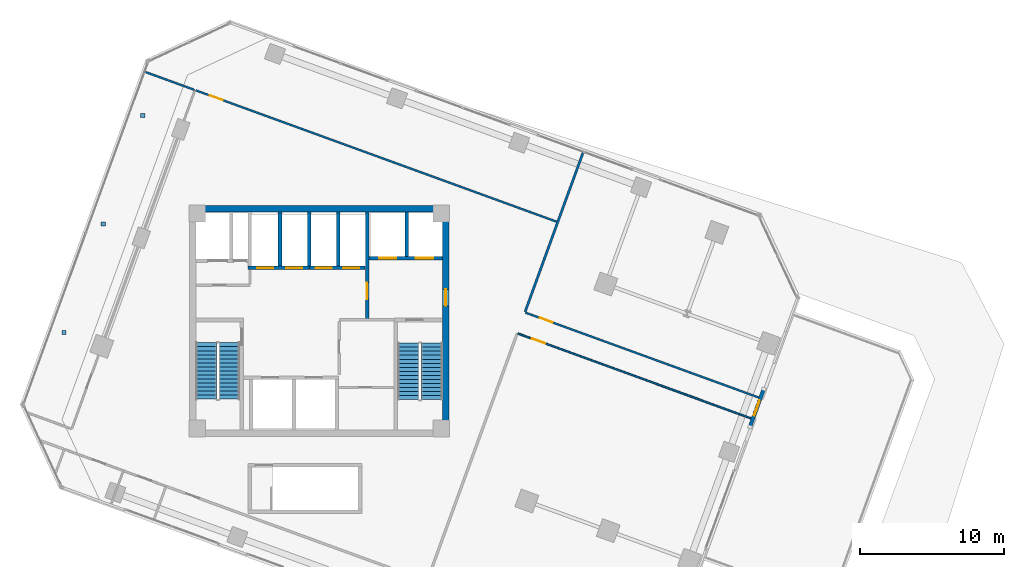
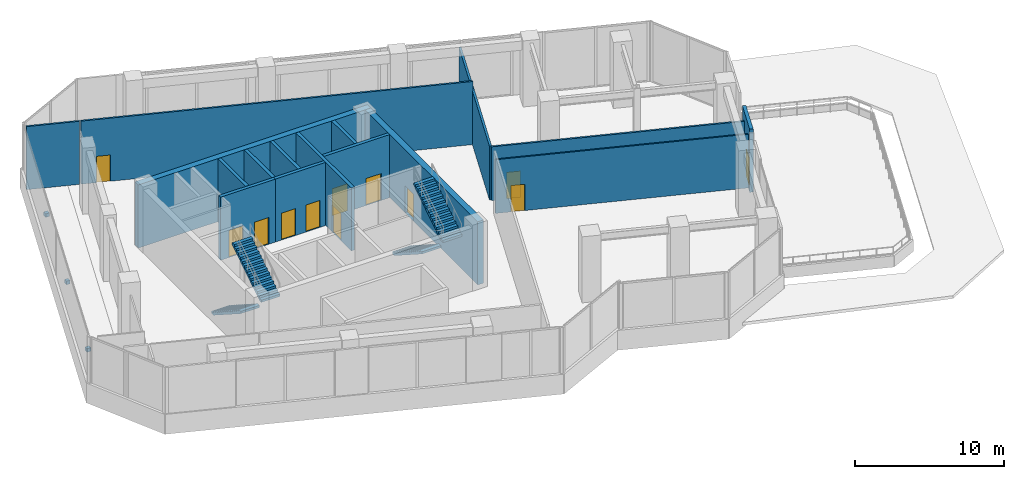
# One storey, part 17 of 21: 16 walls, 12 doors, 4 stair flights, 3 discrete accessories, 12 openings, 2 elements without a shape of their own.
"""IFC4 building model written with IfcOpenShell, lengths in metres."""

from ifc_helpers import new_model, si_unit, direction, frame, frame_2d, origin, origin_2d, place, context, subcontext, project, spatial, polyline, rectangle, outline, extrude, source, transform, mapped, material, layer, layer_set, type_object, element, fill, aggregate, save


model = new_model("IFC4")

# Units and contexts
model_context = context("Model", 3, precision=1e-05, world=origin(), true_north=direction((0.0, 1.0)))
body_context = subcontext(model_context, "Body", "Model", "MODEL_VIEW")
ifc_project = project(units=[si_unit("LENGTHUNIT", "METRE"), si_unit("AREAUNIT", "SQUARE_METRE"), si_unit("VOLUMEUNIT", "CUBIC_METRE"), si_unit("PLANEANGLEUNIT", "RADIAN"), si_unit("MASSUNIT", "GRAM", prefix="KILO")], contexts=[model_context])

# Site, building, storey
site_placement = place(None, origin())
site = spatial("IfcSite", under=ifc_project, at=site_placement, CompositionType="ELEMENT")
building_placement = place(site_placement, origin())
building = spatial("IfcBuilding", under=site, at=building_placement, Name="Torre Montelarca", CompositionType="ELEMENT")
storey_placement = place(building_placement, frame((0.0, 0.0, 127.60009765625)))
storey = spatial("IfcBuildingStorey", under=building, at=storey_placement, Name="L28", CompositionType="ELEMENT", Elevation=127.60009765625)

# Wall, opening, door
ifc_material_1 = material(Name="Concrete C40/50", Category="concrete")
ifc_layer_1 = layer(ifc_material_1, 0.25, Name="Concrete C40/50", Category="concrete")
ifc_layer_set_1 = layer_set([ifc_layer_1], Name="Concrete C40/50")
wall_type_1 = type_object("IfcWallType", Name="CW-SHAFT-250", PredefinedType="SHEAR", material=ifc_layer_set_1)
wall_1_placement = place(storey_placement, frame((21.320068359375, 32.1201171875, 0.0), z_axis=(0.0, 0.0, 1.0), x_axis=(0.0, 1.0, 0.0)))
wall_1 = element("IfcWall", 1, at=wall_1_placement, inside=storey, type_object=wall_type_1, Name="L28 Core Shear Wall SH-FFL-W", PredefinedType="SHEAR", context=body_context, shape_type="SweptSolid", body=[
    extrude(rectangle(XDim=7.419921875, YDim=0.25, at=frame_2d((3.7099609375, 0.0))), origin(), (0.0, 0.0, 1.0), 5.159912109375),
])
opening_1_placement = place(wall_1_placement, frame((1.39990234375, 0.0, 0.0)))
opening_1 = element("IfcOpeningElement", 2, at=opening_1_placement, cuts=wall_1, Name="Opening FD-LB1", PredefinedType="OPENING", context=body_context, shape_type="SweptSolid", body=[
    extrude(rectangle(XDim=1.14990234375, YDim=2.199951171875, at=frame_2d((0.574951171875, 1.10009765625))), frame((0.0, 0.135009765625, 0.0), z_axis=(0.0, -1.0, 0.0), x_axis=(1.0, 0.0, 0.0)), (0.0, 0.0, 1.0), 0.27001953125),
])
ifc_material_2 = material(Name="Acoustic timber-veneered fire door", Category="wood")
door_type_1 = type_object("IfcDoorType", Name="DR-LOBBY-115", OperationType="NOTDEFINED", PredefinedType="DOOR", material=ifc_material_2)
shared_shape_1 = source(origin(), body_context, "Body", "SweptSolid", [
    extrude(rectangle(XDim=1.14990234375, YDim=2.199951171875, at=frame_2d((0.574951171875, 1.10009765625))), frame((0.0, 0.02490234375, 0.0), z_axis=(0.0, -1.0, 0.0), x_axis=(1.0, 0.0, 0.0)), (0.0, 0.0, 1.0), 0.050048828125),
])
door_1_placement = place(opening_1_placement, origin())
door_1 = element("IfcDoor", 3, at=door_1_placement, inside=storey, type_object=door_type_1, Name="L28 Lift Lobby to Firefighting Lobby Smoke Door", OperationType="SINGLE_SWING_LEFT", OverallHeight=2.199951171875, OverallWidth=1.14990234375, PredefinedType="DOOR", context=body_context, shape_type="MappedRepresentation", body=[
    mapped(shared_shape_1, transform((0.0, 0.0, 0.0), scale=1.0)),
])
fill(opening_1, door_1)

# Wall, openings, doors
wall_2_placement = place(storey_placement, frame((21.449951171875, 36.35009765625, 0.0), z_axis=(0.0, 0.0, 1.0), x_axis=(1.0, 0.0, 0.0)))
wall_2 = element("IfcWall", 4, at=wall_2_placement, inside=storey, type_object=wall_type_1, Name="L28 Core Shear Wall SH-FF-S", PredefinedType="SHEAR", context=body_context, shape_type="SweptSolid", body=[
    extrude(rectangle(XDim=5.090087890625, YDim=0.25, at=frame_2d((2.544921875, 0.0))), origin(), (0.0, 0.0, 1.0), 5.159912109375),
])
opening_2_placement = place(wall_2_placement, frame((0.699951171875, 0.0, 0.0)))
opening_2 = element("IfcOpeningElement", 5, at=opening_2_placement, cuts=wall_2, Name="Opening LD-120", PredefinedType="OPENING", context=body_context, shape_type="SweptSolid", body=[
    extrude(rectangle(XDim=1.199951171875, YDim=2.199951171875, at=frame_2d((0.60009765625, 1.10009765625))), frame((0.0, 0.135009765625, 0.0), z_axis=(0.0, -1.0, 0.0), x_axis=(1.0, 0.0, 0.0)), (0.0, 0.0, 1.0), 0.27001953125),
])
opening_3_placement = place(wall_2_placement, frame((3.25, 0.0, 0.0)))
opening_3 = element("IfcOpeningElement", 6, at=opening_3_placement, cuts=wall_2, Name="Opening LD-120", PredefinedType="OPENING", context=body_context, shape_type="SweptSolid", body=[
    extrude(rectangle(XDim=1.199951171875, YDim=2.199951171875, at=frame_2d((0.60009765625, 1.10009765625))), frame((0.0, 0.135009765625, 0.0), z_axis=(0.0, -1.0, 0.0), x_axis=(1.0, 0.0, 0.0)), (0.0, 0.0, 1.0), 0.27001953125),
])
ifc_material_3 = material(Name="Brushed stainless steel AISI 316", Category="steel")
door_type_2 = type_object("IfcDoorType", Name="DR-LIFT-120", OperationType="SLIDING_TO_RIGHT", PredefinedType="DOOR", material=ifc_material_3)
shared_shape_2 = source(origin(), body_context, "Body", "SweptSolid", [
    extrude(rectangle(XDim=1.199951171875, YDim=2.199951171875, at=frame_2d((0.60009765625, 1.10009765625))), frame((0.0, 0.02490234375, 0.0), z_axis=(0.0, -1.0, 0.0), x_axis=(1.0, 0.0, 0.0)), (0.0, 0.0, 1.0), 0.050048828125),
])
door_2_placement = place(opening_2_placement, origin())
door_2 = element("IfcDoor", 7, at=door_2_placement, inside=storey, type_object=door_type_2, Name="L28 Lift Landing Sliding Door FF-1", OperationType="SLIDING_TO_LEFT", OverallHeight=2.199951171875, OverallWidth=1.199951171875, PredefinedType="DOOR", context=body_context, shape_type="MappedRepresentation", body=[
    mapped(shared_shape_2, transform((0.0, 0.0, 0.0), scale=1.0)),
])
fill(opening_2, door_2)
door_3_placement = place(opening_3_placement, origin())
door_3 = element("IfcDoor", 8, at=door_3_placement, inside=storey, type_object=door_type_2, Name="L28 Lift Landing Sliding Door FF-2", OperationType="SLIDING_TO_RIGHT", OverallHeight=2.199951171875, OverallWidth=1.199951171875, PredefinedType="DOOR", context=body_context, shape_type="MappedRepresentation", body=[
    mapped(shared_shape_2, transform((0.0, 0.0, 0.0), scale=1.0)),
])
fill(opening_3, door_3)

# Wall
wall_3_placement = place(storey_placement, frame((24.080078125, 36.47998046875, 0.0), z_axis=(0.0, 0.0, 1.0), x_axis=(0.0, 1.0, 0.0)))
element("IfcWall", 9, at=wall_3_placement, inside=storey, type_object=wall_type_1, Name="L28 Core Shear Wall SH-FF-M", PredefinedType="SHEAR", context=body_context, shape_type="SweptSolid", body=[
    extrude(rectangle(XDim=3.06005859375, YDim=0.25, at=frame_2d((1.530029296875, 0.0))), origin(), (0.0, 0.0, 1.0), 5.159912109375),
])

# Wall, openings, doors
wall_4_placement = place(storey_placement, frame((13.06005859375, 35.679931640625, 0.0), z_axis=(0.0, 0.0, 1.0), x_axis=(1.0, 0.0, 0.0)))
wall_4 = element("IfcWall", 10, at=wall_4_placement, inside=storey, type_object=wall_type_1, Name="L28 Core Shear Wall SH-PLM-S", PredefinedType="SHEAR", context=body_context, shape_type="SweptSolid", body=[
    extrude(rectangle(XDim=4.25, YDim=0.25, at=frame_2d((2.125, 0.0))), origin(), (0.0, 0.0, 1.0), 5.159912109375),
])
opening_4_placement = place(wall_4_placement, frame((0.64990234375, 0.0, 0.0)))
opening_4 = element("IfcOpeningElement", 11, at=opening_4_placement, cuts=wall_4, Name="Opening LD-110", PredefinedType="OPENING", context=body_context, shape_type="SweptSolid", body=[
    extrude(rectangle(XDim=1.10009765625, YDim=2.199951171875, at=frame_2d((0.550048828125, 1.10009765625))), frame((0.0, 0.135009765625, 0.0), z_axis=(0.0, -1.0, 0.0), x_axis=(1.0, 0.0, 0.0)), (0.0, 0.0, 1.0), 0.27001953125),
])
opening_5_placement = place(wall_4_placement, frame((2.64990234375, 0.0, 0.0)))
opening_5 = element("IfcOpeningElement", 12, at=opening_5_placement, cuts=wall_4, Name="Opening LD-110", PredefinedType="OPENING", context=body_context, shape_type="SweptSolid", body=[
    extrude(rectangle(XDim=1.10009765625, YDim=2.199951171875, at=frame_2d((0.550048828125, 1.10009765625))), frame((0.0, 0.135009765625, 0.0), z_axis=(0.0, -1.0, 0.0), x_axis=(1.0, 0.0, 0.0)), (0.0, 0.0, 1.0), 0.27001953125),
])
door_type_3 = type_object("IfcDoorType", Name="DR-LIFT-110", OperationType="SLIDING_TO_LEFT", PredefinedType="DOOR", material=ifc_material_3)
shared_shape_3 = source(origin(), body_context, "Body", "SweptSolid", [
    extrude(rectangle(XDim=1.10009765625, YDim=2.199951171875, at=frame_2d((0.550048828125, 1.10009765625))), frame((0.0, 0.02490234375, 0.0), z_axis=(0.0, -1.0, 0.0), x_axis=(1.0, 0.0, 0.0)), (0.0, 0.0, 1.0), 0.050048828125),
])
door_4_placement = place(opening_4_placement, origin())
door_4 = element("IfcDoor", 13, at=door_4_placement, inside=storey, type_object=door_type_3, Name="L28 Lift Landing Sliding Door PL-M1", OperationType="SLIDING_TO_LEFT", OverallHeight=2.199951171875, OverallWidth=1.10009765625, PredefinedType="DOOR", context=body_context, shape_type="MappedRepresentation", body=[
    mapped(shared_shape_3, transform((0.0, 0.0, 0.0), scale=1.0)),
])
fill(opening_4, door_4)
door_5_placement = place(opening_5_placement, origin())
door_5 = element("IfcDoor", 14, at=door_5_placement, inside=storey, type_object=door_type_3, Name="L28 Lift Landing Sliding Door PL-M2", OperationType="SLIDING_TO_RIGHT", OverallHeight=2.199951171875, OverallWidth=1.10009765625, PredefinedType="DOOR", context=body_context, shape_type="MappedRepresentation", body=[
    mapped(shared_shape_3, transform((0.0, 0.0, 0.0), scale=1.0)),
])
fill(opening_5, door_5)

# Wall
wall_5_placement = place(storey_placement, frame((15.280029296875, 35.81005859375, 0.0), z_axis=(0.0, 0.0, 1.0), x_axis=(0.0, 1.0, 0.0)))
element("IfcWall", 15, at=wall_5_placement, inside=storey, type_object=wall_type_1, Name="L28 Core Shear Wall SH-PLM-M", PredefinedType="SHEAR", context=body_context, shape_type="SweptSolid", body=[
    extrude(rectangle(XDim=3.72998046875, YDim=0.25, at=frame_2d((1.864990234375, 0.0))), origin(), (0.0, 0.0, 1.0), 5.159912109375),
])

# Wall, openings, doors
wall_6_placement = place(storey_placement, frame((17.320068359375, 35.679931640625, 0.0), z_axis=(0.0, 0.0, 1.0), x_axis=(1.0, 0.0, 0.0)))
wall_6 = element("IfcWall", 16, at=wall_6_placement, inside=storey, type_object=wall_type_1, Name="L28 Core Shear Wall SH-PLH-S", PredefinedType="SHEAR", context=body_context, shape_type="SweptSolid", body=[
    extrude(rectangle(XDim=3.869873046875, YDim=0.25, at=frame_2d((1.93505859375, 0.0))), origin(), (0.0, 0.0, 1.0), 5.159912109375),
])
opening_6_placement = place(wall_6_placement, frame((0.449951171875, 0.0, 0.0)))
opening_6 = element("IfcOpeningElement", 17, at=opening_6_placement, cuts=wall_6, Name="Opening LD-110", PredefinedType="OPENING", context=body_context, shape_type="SweptSolid", body=[
    extrude(rectangle(XDim=1.10009765625, YDim=2.199951171875, at=frame_2d((0.550048828125, 1.10009765625))), frame((0.0, 0.135009765625, 0.0), z_axis=(0.0, -1.0, 0.0), x_axis=(1.0, 0.0, 0.0)), (0.0, 0.0, 1.0), 0.27001953125),
])
opening_7_placement = place(wall_6_placement, frame((2.35009765625, 0.0, 0.0)))
opening_7 = element("IfcOpeningElement", 18, at=opening_7_placement, cuts=wall_6, Name="Opening LD-110", PredefinedType="OPENING", context=body_context, shape_type="SweptSolid", body=[
    extrude(rectangle(XDim=1.10009765625, YDim=2.199951171875, at=frame_2d((0.550048828125, 1.10009765625))), frame((0.0, 0.135009765625, 0.0), z_axis=(0.0, -1.0, 0.0), x_axis=(1.0, 0.0, 0.0)), (0.0, 0.0, 1.0), 0.27001953125),
])
door_6_placement = place(opening_6_placement, origin())
door_6 = element("IfcDoor", 19, at=door_6_placement, inside=storey, type_object=door_type_3, Name="L28 Lift Landing Sliding Door PL-H1", OperationType="SLIDING_TO_LEFT", OverallHeight=2.199951171875, OverallWidth=1.10009765625, PredefinedType="DOOR", context=body_context, shape_type="MappedRepresentation", body=[
    mapped(shared_shape_3, transform((0.0, 0.0, 0.0), scale=1.0)),
])
fill(opening_6, door_6)
door_7_placement = place(opening_7_placement, origin())
door_7 = element("IfcDoor", 20, at=door_7_placement, inside=storey, type_object=door_type_3, Name="L28 Lift Landing Sliding Door PL-H2", OperationType="SLIDING_TO_RIGHT", OverallHeight=2.199951171875, OverallWidth=1.10009765625, PredefinedType="DOOR", context=body_context, shape_type="MappedRepresentation", body=[
    mapped(shared_shape_3, transform((0.0, 0.0, 0.0), scale=1.0)),
])
fill(opening_7, door_7)

# Walls
for number, where, z_axis, x_axis, name in (
    (21, (17.320068359375, 35.81005859375, 0.0), (0.0, 0.0, 1.0), (0.0, 1.0, 0.0), "L28 Core Shear Wall SH-PLH-W"),
    (22, (19.320068359375, 35.81005859375, 0.0), (0.0, 0.0, 1.0), (0.0, 1.0, 0.0), "L28 Core Shear Wall SH-PLH-M"),
):
    element("IfcWall", number, at=place(storey_placement, frame(where, z_axis=z_axis, x_axis=x_axis)), inside=storey, type_object=wall_type_1, Name=name, PredefinedType="SHEAR", context=body_context, shape_type="SweptSolid", body=[
        extrude(rectangle(XDim=3.72998046875, YDim=0.25, at=frame_2d((1.864990234375, 0.0))), origin(), (0.0, 0.0, 1.0), 5.159912109375),
    ])

# Wall, opening, door
ifc_material_4 = material(Name="Concrete C55/67", Category="concrete")
ifc_layer_2 = layer(ifc_material_4, 0.449951171875, Name="Concrete C55/67", Category="concrete")
ifc_layer_set_2 = layer_set([ifc_layer_2], Name="Concrete C55/67")
wall_type_2 = type_object("IfcWallType", Name="CW-SHEAR-450", PredefinedType="SHEAR", material=ifc_layer_set_2)
wall_7_placement = place(storey_placement, frame((26.77490234375, 24.449951171875, 0.0), z_axis=(0.0, 0.0, 1.0), x_axis=(0.0, 1.0, 0.0)))
wall_7 = element("IfcWall", 23, at=wall_7_placement, inside=storey, type_object=wall_type_2, Name="L28 Core Shear Wall CW-E", PredefinedType="SHEAR", context=body_context, shape_type="SweptSolid", body=[
    extrude(rectangle(XDim=15.10009765625, YDim=0.449951171875, at=frame_2d((7.550048828125, 0.0))), origin(), (0.0, 0.0, 1.0), 5.159912109375),
])
opening_8_placement = place(wall_7_placement, frame((8.60009765625, 0.0, 0.0)))
opening_8 = element("IfcOpeningElement", 24, at=opening_8_placement, cuts=wall_7, Name="Opening FD-LB1", PredefinedType="OPENING", context=body_context, shape_type="SweptSolid", body=[
    extrude(rectangle(XDim=1.14990234375, YDim=2.199951171875, at=frame_2d((0.574951171875, 1.10009765625))), frame((0.0, 0.23486328125, 0.0), z_axis=(0.0, -1.0, 0.0), x_axis=(1.0, 0.0, 0.0)), (0.0, 0.0, 1.0), 0.469970703125),
])
door_8_placement = place(opening_8_placement, origin())
door_8 = element("IfcDoor", 25, at=door_8_placement, inside=storey, type_object=door_type_1, Name="L28 Firefighting Lift Lobby Corridor Fire Door", OperationType="SINGLE_SWING_RIGHT", OverallHeight=2.199951171875, OverallWidth=1.14990234375, PredefinedType="DOOR", context=body_context, shape_type="MappedRepresentation", body=[
    mapped(shared_shape_1, transform((0.0, 0.0, 0.0), scale=1.0)),
])
fill(opening_8, door_8)

# Wall
wall_8_placement = place(storey_placement, frame((9.0, 39.77490234375, 0.0), z_axis=(0.0, 0.0, 1.0), x_axis=(1.0, 0.0, 0.0)))
element("IfcWall", 26, at=wall_8_placement, inside=storey, type_object=wall_type_2, Name="L28 Core Shear Wall CW-N1", PredefinedType="SHEAR", context=body_context, shape_type="SweptSolid", body=[
    extrude(rectangle(XDim=18.0, YDim=0.449951171875, at=frame_2d((9.0, 0.0))), origin(), (0.0, 0.0, 1.0), 5.159912109375),
])

# Wall, opening, door
ifc_material_5 = material(Name="Precast concrete C45/55", Category="concrete")
ifc_layer_3 = layer(ifc_material_5, 0.25, Name="Precast concrete C45/55", Category="concrete")
ifc_layer_set_3 = layer_set([ifc_layer_3], Name="Precast concrete C45/55")
wall_type_3 = type_object("IfcWallType", Name="EW-CONC-250", PredefinedType="SOLIDWALL", material=ifc_layer_set_3)
wall_9_placement = place(storey_placement, frame((47.84912109375, 24.661376953125, 0.0), z_axis=(0.0, 0.0, 1.0), x_axis=(0.341981089711, 0.93970683422, 0.0)))
wall_9 = element("IfcWall", 27, at=wall_9_placement, inside=storey, type_object=wall_type_3, Name="L28 Terrace Portal Wall Pier E06", PredefinedType="SOLIDWALL", context=body_context, shape_type="SweptSolid", body=[
    extrude(rectangle(XDim=2.7998046875, YDim=0.25, at=frame_2d((1.39990234375, 0.0))), origin(), (0.0, 0.0, 1.0), 5.159912109375),
])
opening_9_placement = place(wall_9_placement, frame((0.85009765625, 0.0, 0.0)))
opening_9 = element("IfcOpeningElement", 28, at=opening_9_placement, cuts=wall_9, Name="Opening ED-03", PredefinedType="OPENING", context=body_context, shape_type="SweptSolid", body=[
    extrude(rectangle(XDim=1.10009765625, YDim=2.199951171875, at=frame_2d((0.550048828125, 1.10009765625))), frame((0.0, 0.135009765625, 0.0), z_axis=(0.0, -1.0, 0.0), x_axis=(1.0, 0.0, 0.0)), (0.0, 0.0, 1.0), 0.27001953125),
])
ifc_material_6 = material(Name="Powder-coated galvanized steel and safety glass", Category="steel")
door_type_4 = type_object("IfcDoorType", Name="DR-EXT-TER", OperationType="NOTDEFINED", PredefinedType="DOOR", material=ifc_material_6)
shared_shape_4 = source(origin(), body_context, "Body", "SweptSolid", [
    extrude(rectangle(XDim=1.10009765625, YDim=2.199951171875, at=frame_2d((0.550048828125, 1.10009765625))), frame((0.0, 0.02490234375, 0.0), z_axis=(0.0, -1.0, 0.0), x_axis=(1.0, 0.0, 0.0)), (0.0, 0.0, 1.0), 0.050048828125),
])
door_9_placement = place(opening_9_placement, origin())
door_9 = element("IfcDoor", 29, at=door_9_placement, inside=storey, type_object=door_type_4, Name="L28 Sky Terrace Access Door", OperationType="SINGLE_SWING_LEFT", OverallHeight=2.199951171875, OverallWidth=1.10009765625, PredefinedType="DOOR", context=body_context, shape_type="MappedRepresentation", body=[
    mapped(shared_shape_4, transform((0.0, 0.0, 0.0), scale=1.0)),
])
fill(opening_9, door_9)

# Wall
ifc_material_7 = material(Name="Gypsum plasterboard on steel stud", Category="steel")
ifc_layer_4 = layer(ifc_material_7, 0.159912109375, Name="Gypsum plasterboard on steel stud", Category="steel")
ifc_layer_set_4 = layer_set([ifc_layer_4], Name="Gypsum plasterboard on steel stud")
wall_type_4 = type_object("IfcWallType", Name="PW-FIRE-160", PredefinedType="PARTITIONING", material=ifc_layer_set_4)
wall_10_placement = place(storey_placement, frame((32.266845703125, 32.635986328125, 0.0), z_axis=(0.0, 0.0, 1.0), x_axis=(0.34200686721, 0.939697452791, 0.0)))
element("IfcWall", 30, at=wall_10_placement, inside=storey, type_object=wall_type_4, Name="L28 Interior Partition W-L28-ECN", PredefinedType="PARTITIONING", context=body_context, shape_type="SweptSolid", body=[
    extrude(rectangle(XDim=11.739990234375, YDim=0.159912109375, at=frame_2d((5.8701171875, 0.0))), origin(), (0.0, 0.0, 1.0), 4.39501953125),
])

# Wall, opening, door
ifc_layer_5 = layer(ifc_material_7, 0.114990234375, Name="Gypsum plasterboard on steel stud", Category="steel")
ifc_layer_set_5 = layer_set([ifc_layer_5], Name="Gypsum plasterboard on steel stud")
wall_type_5 = type_object("IfcWallType", Name="PW-PART-115", PredefinedType="PARTITIONING", material=ifc_layer_set_5)
wall_11_placement = place(storey_placement, frame((31.763916015625, 31.137451171875, 0.0), z_axis=(0.0, 0.0, 1.0), x_axis=(0.939692730905, -0.342019840775, 0.0)))
wall_11 = element("IfcWall", 31, at=wall_11_placement, inside=storey, type_object=wall_type_5, Name="L28 Interior Partition W-L28-SE-N", PredefinedType="PARTITIONING", context=body_context, shape_type="SweptSolid", body=[
    extrude(rectangle(XDim=17.2802734375, YDim=0.114990234375, at=frame_2d((8.64013671875, 0.0))), origin(), (0.0, 0.0, 1.0), 4.39501953125),
])
opening_10_placement = place(wall_11_placement, frame((1.050048828125, 0.0, 0.0)))
opening_10 = element("IfcOpeningElement", 32, at=opening_10_placement, cuts=wall_11, Name="Opening ID-095", PredefinedType="OPENING", context=body_context, shape_type="SweptSolid", body=[
    extrude(rectangle(XDim=0.949951171875, YDim=2.14990234375, at=frame_2d((0.47509765625, 1.074951171875))), frame((0.0, 0.0673828125, 0.0), z_axis=(0.0, -1.0, 0.0), x_axis=(1.0, 0.0, 0.0)), (0.0, 0.0, 1.0), 0.135009765625),
])
ifc_material_8 = material(Name="Hardwood acoustic timber veneer", Category="wood")
door_type_5 = type_object("IfcDoorType", Name="DR-INT-095", OperationType="NOTDEFINED", PredefinedType="DOOR", material=ifc_material_8)
shared_shape_5 = source(origin(), body_context, "Body", "SweptSolid", [
    extrude(rectangle(XDim=0.949951171875, YDim=2.14990234375, at=frame_2d((0.47509765625, 1.074951171875))), frame((0.0, 0.02490234375, 0.0), z_axis=(0.0, -1.0, 0.0), x_axis=(1.0, 0.0, 0.0)), (0.0, 0.0, 1.0), 0.050048828125),
])
door_10_placement = place(opening_10_placement, origin())
door_10 = element("IfcDoor", 33, at=door_10_placement, inside=storey, type_object=door_type_5, Name="L28 Interior Door 10", OperationType="SINGLE_SWING_LEFT", OverallHeight=2.14990234375, OverallWidth=0.949951171875, PredefinedType="DOOR", context=body_context, shape_type="MappedRepresentation", body=[
    mapped(shared_shape_5, transform((0.0, 0.0, 0.0), scale=1.0)),
])
fill(opening_10, door_10)

ifc_layer_6 = layer(ifc_material_7, 0.135009765625, Name="Gypsum plasterboard on steel stud", Category="steel")
ifc_layer_set_6 = layer_set([ifc_layer_6], Name="Gypsum plasterboard on steel stud")
wall_type_6 = type_object("IfcWallType", Name="PW-PART-135", PredefinedType="PARTITIONING", material=ifc_layer_set_6)
wall_12_placement = place(storey_placement, frame((9.431884765625, 47.991943359375, 0.0), z_axis=(0.0, 0.0, 1.0), x_axis=(0.939693422468, -0.342017940715, 0.0)))
wall_12 = element("IfcWall", 34, at=wall_12_placement, inside=storey, type_object=wall_type_6, Name="L28 Interior Partition W-L28-NBOT", PredefinedType="PARTITIONING", context=body_context, shape_type="SweptSolid", body=[
    extrude(rectangle(XDim=26.669921875, YDim=0.135009765625, at=frame_2d((13.3349609375, 0.0))), origin(), (0.0, 0.0, 1.0), 5.159912109375),
])
opening_11_placement = place(wall_12_placement, frame((1.050048828125, 0.0, 0.0)))
opening_11 = element("IfcOpeningElement", 35, at=opening_11_placement, cuts=wall_12, Name="Opening ID-095", PredefinedType="OPENING", context=body_context, shape_type="SweptSolid", body=[
    extrude(rectangle(XDim=0.949951171875, YDim=2.14990234375, at=frame_2d((0.47509765625, 1.074951171875))), frame((0.0, 0.07763671875, 0.0), z_axis=(0.0, -1.0, 0.0), x_axis=(1.0, 0.0, 0.0)), (0.0, 0.0, 1.0), 0.155029296875),
])
door_11_placement = place(opening_11_placement, origin())
door_11 = element("IfcDoor", 36, at=door_11_placement, inside=storey, type_object=door_type_5, Name="L28 Interior Door 07", OperationType="SINGLE_SWING_LEFT", OverallHeight=2.14990234375, OverallWidth=0.949951171875, PredefinedType="DOOR", context=body_context, shape_type="MappedRepresentation", body=[
    mapped(shared_shape_5, transform((0.0, 0.0, 0.0), scale=1.0)),
])
fill(opening_11, door_11)

# Wall
wall_13_placement = place(storey_placement, frame((5.945556640625, 49.260986328125, 0.0), z_axis=(0.0, 0.0, 1.0), x_axis=(0.939679480515, -0.342056243766, 0.0)))
element("IfcWall", 37, at=wall_13_placement, inside=storey, type_object=wall_type_6, Name="L28 Interior Partition W-L28-WWGN", PredefinedType="PARTITIONING", context=body_context, shape_type="SweptSolid", body=[
    extrude(rectangle(XDim=3.630126953125, YDim=0.135009765625, at=frame_2d((1.81494140625, 0.0))), origin(), (0.0, 0.0, 1.0), 5.159912109375),
])

# Wall, opening, door
wall_14_placement = place(storey_placement, frame((32.290771484375, 32.584716796875, 0.0), z_axis=(0.0, 0.0, 1.0), x_axis=(0.939691078169, -0.342024381601, 0.0)))
wall_14 = element("IfcWall", 38, at=wall_14_placement, inside=storey, type_object=wall_type_6, Name="L28 Interior Partition W-L28-NE-S", PredefinedType="PARTITIONING", context=body_context, shape_type="SweptSolid", body=[
    extrude(rectangle(XDim=17.280029296875, YDim=0.135009765625, at=frame_2d((8.64013671875, 0.0))), origin(), (0.0, 0.0, 1.0), 4.39501953125),
])
opening_12_placement = place(wall_14_placement, frame((1.050048828125, 0.0, 0.0)))
opening_12 = element("IfcOpeningElement", 39, at=opening_12_placement, cuts=wall_14, Name="Opening ID-095", PredefinedType="OPENING", context=body_context, shape_type="SweptSolid", body=[
    extrude(rectangle(XDim=0.949951171875, YDim=2.14990234375, at=frame_2d((0.47509765625, 1.074951171875))), frame((0.0, 0.07763671875, 0.0), z_axis=(0.0, -1.0, 0.0), x_axis=(1.0, 0.0, 0.0)), (0.0, 0.0, 1.0), 0.155029296875),
])
door_12_placement = place(opening_12_placement, origin())
door_12 = element("IfcDoor", 40, at=door_12_placement, inside=storey, type_object=door_type_5, Name="L28 Interior Door 09", OperationType="SINGLE_SWING_LEFT", OverallHeight=2.14990234375, OverallWidth=0.949951171875, PredefinedType="DOOR", context=body_context, shape_type="MappedRepresentation", body=[
    mapped(shared_shape_5, transform((0.0, 0.0, 0.0), scale=1.0)),
])
fill(opening_12, door_12)

# Stair, stair flights
stair_type_1 = type_object("IfcStairType", Name="ST-CORE-ST1", PredefinedType="HALF_TURN_STAIR", material=ifc_material_1)
stair_1_placement = place(storey_placement, origin())
stair_1 = element("IfcStair", 41, at=stair_1_placement, inside=storey, type_object=stair_type_1, Name="L28 Protected Exit Stair ST1", PredefinedType="HALF_TURN_STAIR")
stair_flight_type_1 = type_object("IfcStairFlightType", Name="SFL-CORE-ST1", PredefinedType="STRAIGHT", material=ifc_material_1)
stair_flight_1_placement = place(storey_placement, frame((10.175048828125, 30.5, 0.0), z_axis=(0.0, 0.0, 1.0), x_axis=(0.0, -1.0, 0.0)))
stair_flight_1 = element("IfcStairFlight", 42, at=stair_flight_1_placement, type_object=stair_flight_type_1, Name="ST1 flight 1", NumberOfRisers=15, NumberOfTreads=14, PredefinedType="STRAIGHT", RiserHeight=0.18, TreadLength=0.28, context=body_context, shape_type="SweptSolid", body=[
    extrude(outline(polyline([(0.0, 0.0), (0.0, 0.179931640625), (0.280029296875, 0.179931640625), (0.280029296875, 0.360107421875), (0.56005859375, 0.360107421875), (0.56005859375, 0.5400390625), (0.840087890625, 0.5400390625), (0.840087890625, 0.719970703125), (1.1201171875, 0.719970703125), (1.1201171875, 0.89990234375), (1.39990234375, 0.89990234375), (1.39990234375, 1.080078125), (1.679931640625, 1.080078125), (1.679931640625, 1.260009765625), (1.9599609375, 1.260009765625), (1.9599609375, 1.43994140625), (2.239990234375, 1.43994140625), (2.239990234375, 1.6201171875), (2.52001953125, 1.6201171875), (2.52001953125, 1.800048828125), (2.800048828125, 1.800048828125), (2.800048828125, 1.97998046875), (3.080078125, 1.97998046875), (3.080078125, 2.159912109375), (3.360107421875, 2.159912109375), (3.360107421875, 2.340087890625), (3.639892578125, 2.340087890625), (3.639892578125, 2.52001953125), (3.919921875, 2.52001953125), (3.919921875, 2.699951171875), (3.919921875, 2.341796875), (0.277099609375, 0.0), (0.0, 0.0)])), frame((0.0, 0.72509765625, 0.0), z_axis=(0.0, -1.0, 0.0), x_axis=(1.0, 0.0, 0.0)), (0.0, 0.0, 1.0), 1.449951171875),
])
stair_flight_2_placement = place(storey_placement, frame((11.77490234375, 26.580078125, 2.699951171875), z_axis=(0.0, 0.0, 1.0), x_axis=(0.0, 1.0, 0.0)))
stair_flight_2 = element("IfcStairFlight", 43, at=stair_flight_2_placement, type_object=stair_flight_type_1, Name="ST1 flight 2", NumberOfRisers=15, NumberOfTreads=14, PredefinedType="STRAIGHT", RiserHeight=0.18, TreadLength=0.28, context=body_context, shape_type="SweptSolid", body=[
    extrude(outline(polyline([(0.0, 0.0), (0.0, 0.179931640625), (0.280029296875, 0.179931640625), (0.280029296875, 0.360107421875), (0.56005859375, 0.360107421875), (0.56005859375, 0.5400390625), (0.840087890625, 0.5400390625), (0.840087890625, 0.719970703125), (1.1201171875, 0.719970703125), (1.1201171875, 0.89990234375), (1.39990234375, 0.89990234375), (1.39990234375, 1.080078125), (1.679931640625, 1.080078125), (1.679931640625, 1.260009765625), (1.9599609375, 1.260009765625), (1.9599609375, 1.43994140625), (2.239990234375, 1.43994140625), (2.239990234375, 1.6201171875), (2.52001953125, 1.6201171875), (2.52001953125, 1.800048828125), (2.800048828125, 1.800048828125), (2.800048828125, 1.97998046875), (3.080078125, 1.97998046875), (3.080078125, 2.159912109375), (3.360107421875, 2.159912109375), (3.360107421875, 2.340087890625), (3.639892578125, 2.340087890625), (3.639892578125, 2.52001953125), (3.919921875, 2.52001953125), (3.919921875, 2.699951171875), (3.919921875, 2.341796875), (0.277099609375, 0.0), (0.0, 0.0)])), frame((0.0, 0.72509765625, 0.0), z_axis=(0.0, -1.0, 0.0), x_axis=(1.0, 0.0, 0.0)), (0.0, 0.0, 1.0), 1.449951171875),
])
aggregate(stair_1, [stair_flight_1, stair_flight_2])

stair_type_2 = type_object("IfcStairType", Name="ST-CORE-ST2", PredefinedType="HALF_TURN_STAIR", material=ifc_material_1)
stair_2_placement = place(storey_placement, origin())
stair_2 = element("IfcStair", 44, at=stair_2_placement, inside=storey, type_object=stair_type_2, Name="L28 Protected Exit Stair ST2", PredefinedType="HALF_TURN_STAIR")
stair_flight_type_2 = type_object("IfcStairFlightType", Name="SFL-CORE-ST2", PredefinedType="STRAIGHT", material=ifc_material_1)
stair_flight_3_placement = place(storey_placement, frame((24.179931640625, 30.469970703125, 0.0), z_axis=(0.0, 0.0, 1.0), x_axis=(0.0, -1.0, 0.0)))
stair_flight_3 = element("IfcStairFlight", 45, at=stair_flight_3_placement, type_object=stair_flight_type_2, Name="ST2 flight 1", NumberOfRisers=15, NumberOfTreads=14, PredefinedType="STRAIGHT", RiserHeight=0.18, TreadLength=0.28, context=body_context, shape_type="SweptSolid", body=[
    extrude(outline(polyline([(0.0, 0.0), (0.0, 0.179931640625), (0.280029296875, 0.179931640625), (0.280029296875, 0.360107421875), (0.56005859375, 0.360107421875), (0.56005859375, 0.5400390625), (0.840087890625, 0.5400390625), (0.840087890625, 0.719970703125), (1.1201171875, 0.719970703125), (1.1201171875, 0.89990234375), (1.39990234375, 0.89990234375), (1.39990234375, 1.080078125), (1.679931640625, 1.080078125), (1.679931640625, 1.260009765625), (1.9599609375, 1.260009765625), (1.9599609375, 1.43994140625), (2.239990234375, 1.43994140625), (2.239990234375, 1.6201171875), (2.52001953125, 1.6201171875), (2.52001953125, 1.800048828125), (2.800048828125, 1.800048828125), (2.800048828125, 1.97998046875), (3.080078125, 1.97998046875), (3.080078125, 2.159912109375), (3.360107421875, 2.159912109375), (3.360107421875, 2.340087890625), (3.639892578125, 2.340087890625), (3.639892578125, 2.52001953125), (3.919921875, 2.52001953125), (3.919921875, 2.699951171875), (3.919921875, 2.341796875), (0.277099609375, 0.0), (0.0, 0.0)])), frame((0.0, 0.739990234375, 0.0), z_axis=(0.0, -1.0, 0.0), x_axis=(1.0, 0.0, 0.0)), (0.0, 0.0, 1.0), 1.47998046875),
])
stair_flight_4_placement = place(storey_placement, frame((25.81005859375, 26.550048828125, 2.699951171875), z_axis=(0.0, 0.0, 1.0), x_axis=(0.0, 1.0, 0.0)))
stair_flight_4 = element("IfcStairFlight", 46, at=stair_flight_4_placement, type_object=stair_flight_type_2, Name="ST2 flight 2", NumberOfRisers=15, NumberOfTreads=14, PredefinedType="STRAIGHT", RiserHeight=0.18, TreadLength=0.28, context=body_context, shape_type="SweptSolid", body=[
    extrude(outline(polyline([(0.0, 0.0), (0.0, 0.179931640625), (0.280029296875, 0.179931640625), (0.280029296875, 0.360107421875), (0.56005859375, 0.360107421875), (0.56005859375, 0.5400390625), (0.840087890625, 0.5400390625), (0.840087890625, 0.719970703125), (1.1201171875, 0.719970703125), (1.1201171875, 0.89990234375), (1.39990234375, 0.89990234375), (1.39990234375, 1.080078125), (1.679931640625, 1.080078125), (1.679931640625, 1.260009765625), (1.9599609375, 1.260009765625), (1.9599609375, 1.43994140625), (2.239990234375, 1.43994140625), (2.239990234375, 1.6201171875), (2.52001953125, 1.6201171875), (2.52001953125, 1.800048828125), (2.800048828125, 1.800048828125), (2.800048828125, 1.97998046875), (3.080078125, 1.97998046875), (3.080078125, 2.159912109375), (3.360107421875, 2.159912109375), (3.360107421875, 2.340087890625), (3.639892578125, 2.340087890625), (3.639892578125, 2.52001953125), (3.919921875, 2.52001953125), (3.919921875, 2.699951171875), (3.919921875, 2.341796875), (0.277099609375, 0.0), (0.0, 0.0)])), frame((0.0, 0.739990234375, 0.0), z_axis=(0.0, -1.0, 0.0), x_axis=(1.0, 0.0, 0.0)), (0.0, 0.0, 1.0), 1.47998046875),
])
aggregate(stair_2, [stair_flight_3, stair_flight_4])

# Discrete accessories
ifc_material_9 = material(Name="Stainless steel AISI 316", Category="steel")
discrete_accessory_type = type_object("IfcDiscreteAccessoryType", Name="ACC-BRACKET-SS", PredefinedType="BRACKET", material=ifc_material_9)
shared_shape_6 = source(origin(), body_context, "Body", "SweptSolid", [
    extrude(rectangle(XDim=0.280029296875, YDim=0.280029296875, at=origin_2d()), origin(), (0.0, 0.0, 1.0), 0.280029296875),
])
for number, where, z_axis, x_axis, name in (
    (47, (0.298828125, 31.203125, -0.2802734375), (0.0, 0.0, 1.0), (1.0, 0.0, 0.0), "L28 Raker End Connection Bracket W1-HD"),
    (48, (3.034912109375, 38.720703125, -0.2802734375), (0.0, 0.0, 1.0), (1.0, 0.0, 0.0), "L28 Raker End Connection Bracket W2-HD"),
    (49, (5.771240234375, 46.23828125, -0.2802734375), (0.0, 0.0, 1.0), (1.0, 0.0, 0.0), "L28 Raker End Connection Bracket W3-HD"),
):
    element("IfcDiscreteAccessory", number, at=place(storey_placement, frame(where, z_axis=z_axis, x_axis=x_axis)), inside=storey, type_object=discrete_accessory_type, Name=name, PredefinedType="BRACKET", context=body_context, shape_type="MappedRepresentation", body=[
        mapped(shared_shape_6, transform((0.0, 0.0, 0.0), scale=1.0)),
    ])

save(model, "model.ifc")
